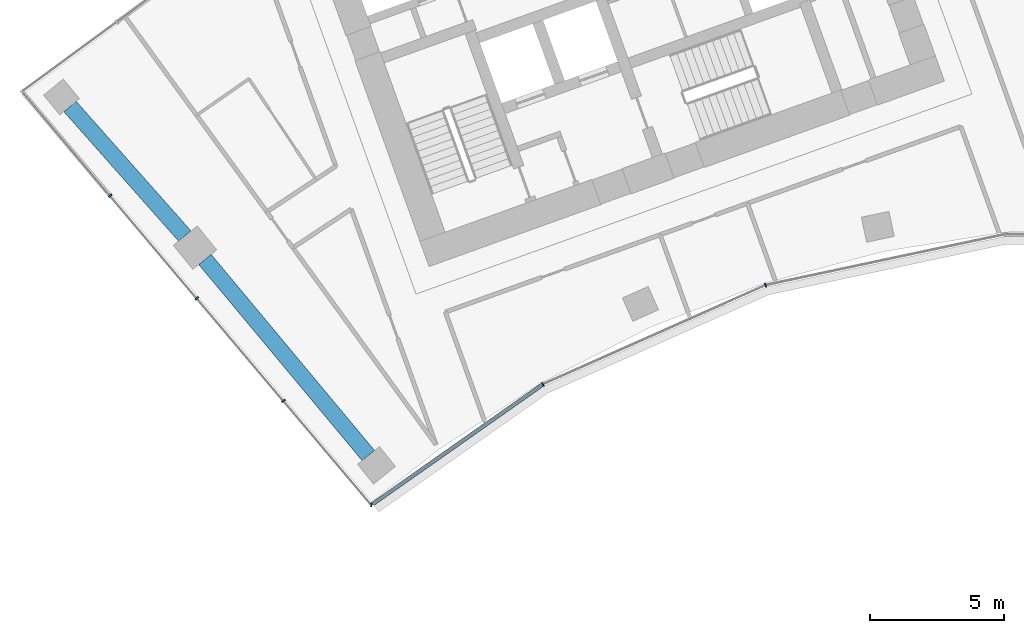
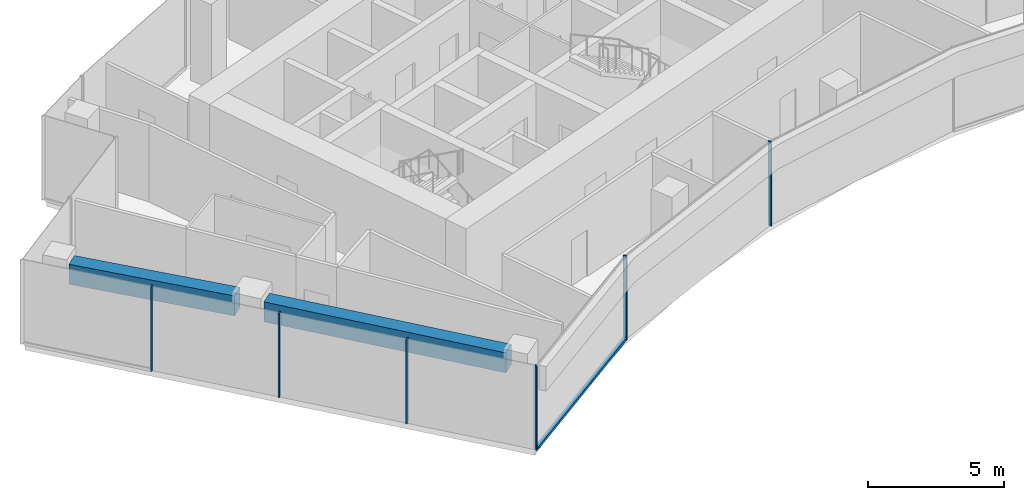
# One storey, part 2 of 16: 7 members, 2 beams, 2 elements without a shape of their own.
"""IFC4 building model written with IfcOpenShell, lengths in metres."""

from ifc_helpers import new_model, si_unit, direction, frame, origin, origin_2d, place, context, subcontext, project, spatial, rectangle, extrude, material, layer, layer_set, material_profile, profile_set, type_object, element, aggregate, save


model = new_model("IFC4")

# Units and contexts
model_context = context("Model", 3, precision=1e-05, world=origin(), true_north=direction((0.0, 1.0)))
body_context = subcontext(model_context, "Body", "Model", "MODEL_VIEW")
ifc_project = project(units=[si_unit("LENGTHUNIT", "METRE"), si_unit("AREAUNIT", "SQUARE_METRE"), si_unit("VOLUMEUNIT", "CUBIC_METRE"), si_unit("PLANEANGLEUNIT", "RADIAN"), si_unit("MASSUNIT", "GRAM", prefix="KILO")], contexts=[model_context])

# Site, building, storey
site_placement = place(None, origin())
site = spatial("IfcSite", under=ifc_project, at=site_placement, CompositionType="ELEMENT")
building_placement = place(site_placement, origin())
building = spatial("IfcBuilding", under=site, at=building_placement, Name="Stone Belt Terrace Tower", CompositionType="ELEMENT")
storey_placement = place(building_placement, frame((0.0, 0.0, 242.800048828125)))
storey = spatial("IfcBuildingStorey", under=building, at=storey_placement, Name="L59", CompositionType="ELEMENT", Elevation=242.800048828125)

# Curtain wall, members
ifc_material_1 = material(Name="Aluminium 6063-T6 anodised frame", Category="aluminium")
ifc_layer_1 = layer(ifc_material_1, 0.14990234375)
ifc_layer_set_1 = layer_set([ifc_layer_1], Name="CW-B unitised concave-face curtain wall")
curtain_wall_type_1 = type_object("IfcCurtainWallType", Name="CW-B unitised concave-face curtain wall", PredefinedType="NOTDEFINED", material=ifc_layer_set_1)
curtain_wall_1_placement = place(storey_placement, origin())
curtain_wall_1 = element("IfcCurtainWall", 1, at=curtain_wall_1_placement, inside=storey, type_object=curtain_wall_type_1, Name="CW-B concave face L59", PredefinedType="NOTDEFINED")
ifc_material_profile_1 = material_profile(ifc_material_1, rectangle(XDim=0.14990234375, YDim=0.050048828125, at=origin_2d()), Name="Aluminium 6063-T6 50x150")
ifc_profile_set_1 = profile_set([ifc_material_profile_1], Name="Aluminium 6063-T6 anodised frame")
member_type_1 = type_object("IfcMemberType", Name="CW-B mullion 50 x 150", PredefinedType="MULLION", material=ifc_profile_set_1)
member_1_placement = place(storey_placement, frame((-28.096923828125, 33.118896484375, 0.0), z_axis=(0.0, 0.0, 1.0), x_axis=(0.12778448981, 0.991801958137, 0.0)))
member_1 = element("IfcMember", 2, at=member_1_placement, type_object=member_type_1, Name="CW-B mullion 1", PredefinedType="MULLION", context=body_context, shape_type="SweptSolid", body=[
    extrude(rectangle(XDim=0.14990234375, YDim=0.050048828125, at=origin_2d()), origin(), (0.0, 0.0, 1.0), 3.800048828125),
])
member_2_placement = place(storey_placement, frame((-21.712890625, 37.6064453125, 0.0), z_axis=(0.0, 0.0, 1.0), x_axis=(-0.493225488301, 0.869901498843, 0.0)))
member_2 = element("IfcMember", 3, at=member_2_placement, type_object=member_type_1, Name="CW-B mullion 2", PredefinedType="MULLION", context=body_context, shape_type="SweptSolid", body=[
    extrude(rectangle(XDim=0.14990234375, YDim=0.050048828125, at=origin_2d()), origin(), (0.0, 0.0, 1.0), 3.800048828125),
])
member_3_placement = place(storey_placement, frame((-13.4189453125, 41.29931640625, 0.0), z_axis=(0.0, 0.0, 1.0), x_axis=(-0.309016994375, 0.951056516295, 0.0)))
member_3 = element("IfcMember", 4, at=member_3_placement, type_object=member_type_1, Name="CW-B mullion 3", PredefinedType="MULLION", context=body_context, shape_type="SweptSolid", body=[
    extrude(rectangle(XDim=0.14990234375, YDim=0.050048828125, at=origin_2d()), origin(), (0.0, 0.0, 1.0), 3.800048828125),
])
ifc_material_profile_2 = material_profile(ifc_material_1, rectangle(XDim=0.14990234375, YDim=0.1201171875, at=origin_2d()), Name="Aluminium 6063-T6 150x120")
ifc_profile_set_2 = profile_set([ifc_material_profile_2], Name="Aluminium 6063-T6 anodised frame")
member_type_2 = type_object("IfcMemberType", Name="CW-B transom 120 x 150", PredefinedType="USERDEFINED", material=ifc_profile_set_2)
member_4_placement = place(storey_placement, frame((-28.040283203125, 33.158447265625, 0.06005859375), z_axis=(0.818083682227, 0.57509919916, 0.0), x_axis=(-0.57509919916, 0.818083682227, 0.0)))
member_4 = element("IfcMember", 5, at=member_4_placement, type_object=member_type_2, Name="CW-B transom 1.1", ObjectType="TRANSOM", PredefinedType="USERDEFINED", context=body_context, shape_type="SweptSolid", body=[
    extrude(rectangle(XDim=0.14990234375, YDim=0.1201171875, at=origin_2d()), origin(), (0.0, 0.0, 1.0), 7.702392578125),
])
aggregate(curtain_wall_1, [member_1, member_2, member_3, member_4])

ifc_layer_2 = layer(ifc_material_1, 0.14990234375)
ifc_layer_set_2 = layer_set([ifc_layer_2], Name="CW-C stick curtain wall, horn ends and notches")
curtain_wall_type_2 = type_object("IfcCurtainWallType", Name="CW-C stick curtain wall, horn ends and notches", PredefinedType="NOTDEFINED", material=ifc_layer_set_2)
curtain_wall_2_placement = place(storey_placement, origin())
curtain_wall_2 = element("IfcCurtainWall", 6, at=curtain_wall_2_placement, inside=storey, type_object=curtain_wall_type_2, Name="CW-C end face L59", PredefinedType="NOTDEFINED")
ifc_material_profile_3 = material_profile(ifc_material_1, rectangle(XDim=0.14990234375, YDim=0.06005859375, at=origin_2d()), Name="Aluminium 6063-T6 60x150")
ifc_profile_set_3 = profile_set([ifc_material_profile_3], Name="Aluminium 6063-T6 anodised frame")
member_type_3 = type_object("IfcMemberType", Name="CW-C mullion 60 x 150", PredefinedType="MULLION", material=ifc_profile_set_3)
member_5_placement = place(storey_placement, frame((-37.8251953125, 44.626220703125, 0.0), z_axis=(0.0, 0.0, 1.0), x_axis=(0.763669618839, 0.645607243812, 0.0)))
member_5 = element("IfcMember", 7, at=member_5_placement, type_object=member_type_3, Name="CW-C mullion 2", PredefinedType="MULLION", context=body_context, shape_type="SweptSolid", body=[
    extrude(rectangle(XDim=0.14990234375, YDim=0.06005859375, at=origin_2d()), origin(), (0.0, 0.0, 1.0), 3.800048828125),
])
member_6_placement = place(storey_placement, frame((-34.59716796875, 40.807861328125, 0.0), z_axis=(0.0, 0.0, 1.0), x_axis=(0.763669618839, 0.645607243812, 0.0)))
member_6 = element("IfcMember", 8, at=member_6_placement, type_object=member_type_3, Name="CW-C mullion 3", PredefinedType="MULLION", context=body_context, shape_type="SweptSolid", body=[
    extrude(rectangle(XDim=0.14990234375, YDim=0.06005859375, at=origin_2d()), origin(), (0.0, 0.0, 1.0), 3.800048828125),
])
member_7_placement = place(storey_placement, frame((-31.369140625, 36.989501953125, 0.0), z_axis=(0.0, 0.0, 1.0), x_axis=(0.763669618839, 0.645607243812, 0.0)))
member_7 = element("IfcMember", 9, at=member_7_placement, type_object=member_type_3, Name="CW-C mullion 4", PredefinedType="MULLION", context=body_context, shape_type="SweptSolid", body=[
    extrude(rectangle(XDim=0.14990234375, YDim=0.06005859375, at=origin_2d()), origin(), (0.0, 0.0, 1.0), 3.800048828125),
])
aggregate(curtain_wall_2, [member_5, member_6, member_7])

# Beams
ifc_material_2 = material(Name="Concrete B60", Category="concrete")
ifc_material_profile_4 = material_profile(ifc_material_2, rectangle(XDim=0.60009765625, YDim=0.89990234375, at=origin_2d()), Name="RC 600x900")
ifc_profile_set_4 = profile_set([ifc_material_profile_4], Name="Concrete B60")
beam_type = type_object("IfcBeamType", Name="Edge beam RC 600x900 B60", PredefinedType="SPANDREL", material=ifc_profile_set_4)
beam_1_placement = place(storey_placement, frame((-28.211669921875, 34.955810546875, 3.030029296875), z_axis=(-0.640174294825, 0.768229700185, 0.0), x_axis=(-0.768229700185, -0.640174294825, 0.0)))
element("IfcBeam", 10, at=beam_1_placement, inside=storey, type_object=beam_type, Name="Edge beam L59 A P to Q", PredefinedType="SPANDREL", context=body_context, shape_type="SweptSolid", body=[
    extrude(rectangle(XDim=0.60009765625, YDim=0.89990234375, at=origin_2d()), origin(), (0.0, 0.0, 1.0), 9.505859375),
])
beam_2_placement = place(storey_placement, frame((-35.046875, 43.131103515625, 3.030029296875), z_axis=(-0.663260257575, 0.748388823221, 0.0), x_axis=(-0.748388823221, -0.663260257575, 0.0)))
element("IfcBeam", 11, at=beam_2_placement, inside=storey, type_object=beam_type, Name="Edge beam L59 A Q to R", PredefinedType="SPANDREL", context=body_context, shape_type="SweptSolid", body=[
    extrude(rectangle(XDim=0.60009765625, YDim=0.89990234375, at=origin_2d()), origin(), (0.0, 0.0, 1.0), 6.444091796875),
])

save(model, "model.ifc")
